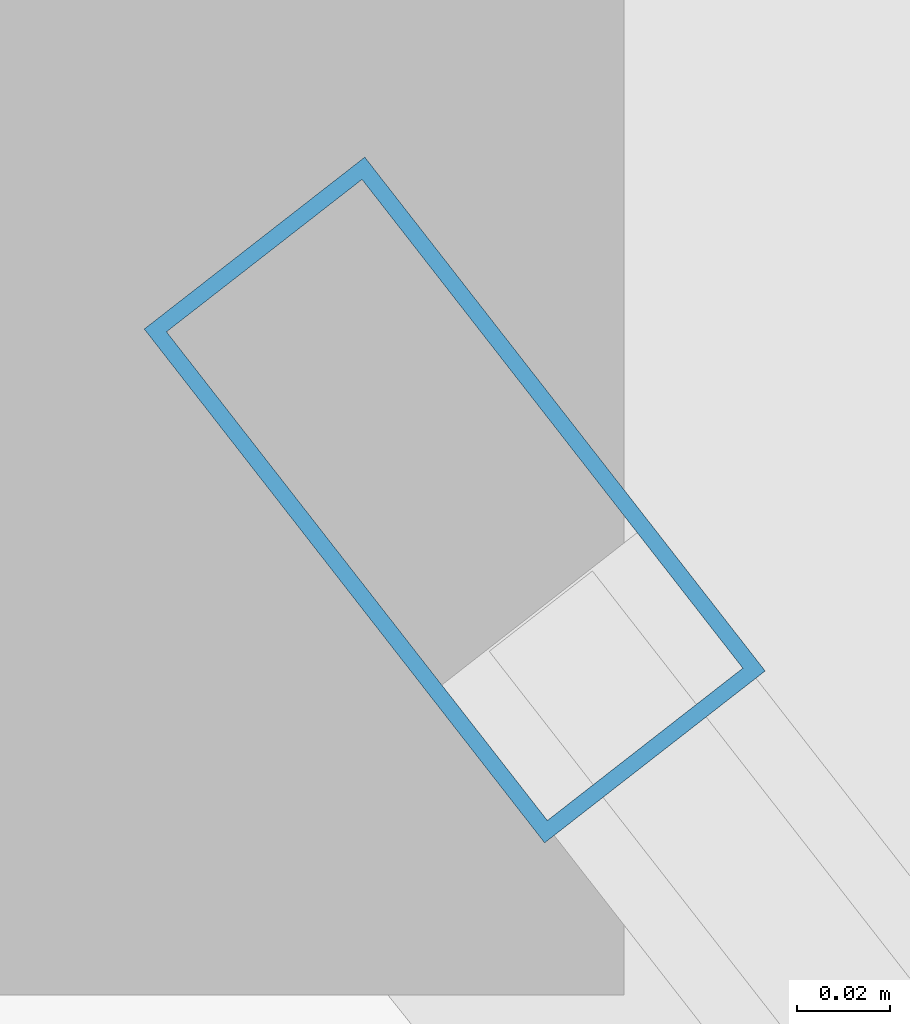
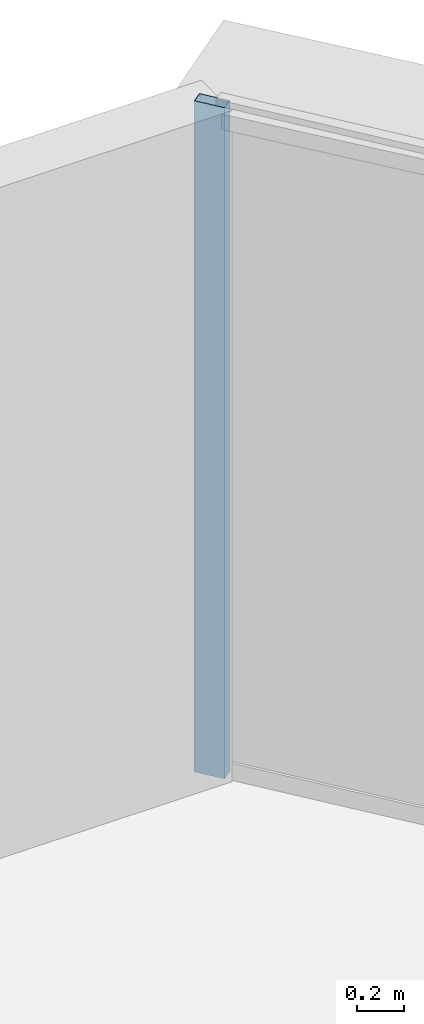
# One storey, part 27 of 39: 1 member, 1 element without a shape of its own.
"""IFC4 building model written with IfcOpenShell, lengths in metres."""

import ifcopenshell
import ifcopenshell.guid

model = None  # the IFC model being written
_history = None  # IfcOwnerHistory: only IFC2X3 demands one
_inside = {}  # id of a spatial element -> (the spatial element, [elements in it])
_under = {}  # id of a project, library or spatial element -> (it, [spatial elements below it])
_declared = {}  # id of a project -> (the project, [libraries it declares])
_typed = {}  # id of a type object -> (the type object, [elements of that type])
_made_of = {}  # id of a material, layer set ... -> (it, [elements and type objects made of it])


def new_model(schema):
    """Start an empty IFC model of exactly this schema.

    Asked for "IFC4X3", IfcOpenShell would pick the latest addendum, in which some entities
    have other attributes; the version numbers below select the first issue.
    IFC2X3 requires an IfcOwnerHistory on every rooted entity: one is made here for all.
    """
    global model, _history
    if schema == "IFC4X3":
        model = ifcopenshell.file(schema_version=(4, 3, 0, 0))
    else:
        model = ifcopenshell.file(schema=schema)
    _inside.clear()
    _under.clear()
    _declared.clear()
    _typed.clear()
    _made_of.clear()
    _history = None
    if model.schema == "IFC2X3":
        org = make("IfcOrganization", Name="unknown")
        user = make(
            "IfcPersonAndOrganization",
            ThePerson=make("IfcPerson", FamilyName="unknown"),
            TheOrganization=org,
        )
        app = make(
            "IfcApplication",
            ApplicationDeveloper=org,
            Version="unknown",
            ApplicationFullName="unknown",
            ApplicationIdentifier="unknown",
        )
        _history = make(
            "IfcOwnerHistory",
            OwningUser=user,
            OwningApplication=app,
            ChangeAction="ADDED",
            CreationDate=0,
        )
    return model


def make(cls, **values):
    """One entity of the class cls with the attributes given. An attribute that is None is left unset."""
    return model.create_entity(
        cls, **{name: value for name, value in values.items() if value is not None}
    )


def rooted(cls, **values):
    """An entity with a GlobalId (a new one), such as an element, a storey or a relation."""
    return make(cls, GlobalId=ifcopenshell.guid.new(), OwnerHistory=_history, **values)


def si_unit(unit_type, name, prefix=None):
    """IfcSIUnit, for example si_unit("LENGTHUNIT", "METRE", prefix="MILLI")."""
    return make("IfcSIUnit", UnitType=unit_type, Prefix=prefix, Name=name)


def assignment(units):
    """IfcUnitAssignment: the units of a project."""
    return None if units is None else make("IfcUnitAssignment", Units=units)


def point(xyz):
    """IfcCartesianPoint."""
    return None if xyz is None else make("IfcCartesianPoint", Coordinates=xyz)


def direction(xyz):
    """IfcDirection."""
    return None if xyz is None else make("IfcDirection", DirectionRatios=xyz)


def frame(location, z_axis=None, x_axis=None):
    """IfcAxis2Placement3D, a coordinate frame: its origin and axes. An axis left out is left unset."""
    return make(
        "IfcAxis2Placement3D",
        Location=point(location),
        Axis=direction(z_axis),
        RefDirection=direction(x_axis),
    )


def frame_2d(location, x_axis=None):
    """IfcAxis2Placement2D, a coordinate frame in the plane: its origin and x axis."""
    return make(
        "IfcAxis2Placement2D", Location=point(location), RefDirection=direction(x_axis)
    )


def origin():
    """The frame at (0, 0, 0) with its axes left unset."""
    return frame((0.0, 0.0, 0.0))


def origin_2d():
    """The frame at (0, 0) in the plane with its x axis left unset."""
    return frame_2d((0.0, 0.0))


def place(relative_to, where):
    """IfcLocalPlacement: puts the frame where relative to a parent placement (None: the world)."""
    return make(
        "IfcLocalPlacement", PlacementRelTo=relative_to, RelativePlacement=where
    )


def context(
    kind, dimensions, precision=None, world=None, true_north=None, identifier=None
):
    """IfcGeometricRepresentationContext, for example the 3D "Model" context."""
    return make(
        "IfcGeometricRepresentationContext",
        ContextIdentifier=identifier,
        ContextType=kind,
        CoordinateSpaceDimension=dimensions,
        Precision=precision,
        WorldCoordinateSystem=world,
        TrueNorth=true_north,
    )


def subcontext(parent, identifier, kind, view, scale=None):
    """IfcGeometricRepresentationSubContext, for example "Body" below "Model"."""
    return make(
        "IfcGeometricRepresentationSubContext",
        ContextIdentifier=identifier,
        ContextType=kind,
        ParentContext=parent,
        TargetScale=scale,
        TargetView=view,
    )


def project(units=None, contexts=None):
    """IfcProject with its units and contexts."""
    return rooted(
        "IfcProject",
        Name="project",
        RepresentationContexts=contexts,
        UnitsInContext=assignment(units),
    )


def spatial(cls, under=None, at=None, **own):
    """A site, building, storey or space (cls), placed at a placement, below another one or the project."""
    s = rooted(cls, ObjectPlacement=at, **own)
    if under is not None:
        _under.setdefault(under.id(), (under, []))[1].append(s)
    return s


def profile(cls, at=None, kind="AREA", **sizes):
    """A parametric profile (cls). Its sizes go by their IFC names, for example OverallWidth=200.0."""
    return make(cls, ProfileType=kind, Position=at, **sizes)


def hollow_rectangle(**sizes):
    """IfcRectangleHollowProfileDef."""
    return profile("IfcRectangleHollowProfileDef", **sizes)


def extrude(swept, where, along, depth):
    """IfcExtrudedAreaSolid: the profile swept, set in the frame where, extruded along a direction by depth."""
    return make(
        "IfcExtrudedAreaSolid",
        SweptArea=swept,
        Position=where,
        ExtrudedDirection=direction(along),
        Depth=depth,
    )


def shape(context_of_items, identifier, shape_type, items):
    """IfcShapeRepresentation: the items that make up one representation, for example the "Body"."""
    return make(
        "IfcShapeRepresentation",
        ContextOfItems=context_of_items,
        RepresentationIdentifier=identifier,
        RepresentationType=shape_type,
        Items=items,
    )


def source(mapping_origin, context_of_items, identifier, shape_type, items):
    """IfcRepresentationMap: a shape defined once, which mapped items show again and again."""
    return make(
        "IfcRepresentationMap",
        MappingOrigin=mapping_origin,
        MappedRepresentation=shape(context_of_items, identifier, shape_type, items),
    )


def transform(
    local_origin,
    x_axis=None,
    y_axis=None,
    z_axis=None,
    scale=None,
    scale2=None,
    scale3=None,
    uniform=True,
):
    """IfcCartesianTransformationOperator3D, or its non-uniform kind. x_axis, y_axis, z_axis: its Axis1, 2, 3."""
    if uniform:
        return make(
            "IfcCartesianTransformationOperator3D",
            Axis1=direction(x_axis),
            Axis2=direction(y_axis),
            LocalOrigin=point(local_origin),
            Scale=scale,
            Axis3=direction(z_axis),
        )
    return make(
        "IfcCartesianTransformationOperator3DnonUniform",
        Axis1=direction(x_axis),
        Axis2=direction(y_axis),
        LocalOrigin=point(local_origin),
        Scale=scale,
        Axis3=direction(z_axis),
        Scale2=scale2,
        Scale3=scale3,
    )


def mapped(mapping_source, mapping_target):
    """IfcMappedItem: shows the shape of a source again, moved by a transform."""
    return make(
        "IfcMappedItem", MappingSource=mapping_source, MappingTarget=mapping_target
    )


def material(Name=None, Category=None):
    """IfcMaterial."""
    return make("IfcMaterial", Name=Name, Category=Category)


def layer(
    of_material, thickness, ventilated=None, Name=None, Category=None, Priority=None
):
    """IfcMaterialLayer: one layer of a wall or slab, of a material (None: an air gap)."""
    return make(
        "IfcMaterialLayer",
        Material=of_material,
        LayerThickness=thickness,
        IsVentilated=ventilated,
        Name=Name,
        Category=Category,
        Priority=Priority,
    )


def layer_set(layers, Name=None):
    """IfcMaterialLayerSet."""
    return make("IfcMaterialLayerSet", MaterialLayers=layers, LayerSetName=Name)


def material_profile(
    of_material, cross_section, Name=None, Category=None, Priority=None
):
    """IfcMaterialProfile: a cross section and its material."""
    return make(
        "IfcMaterialProfile",
        Name=Name,
        Material=of_material,
        Profile=cross_section,
        Priority=Priority,
        Category=Category,
    )


def profile_set(profiles, Name=None, composite=None):
    """IfcMaterialProfileSet."""
    return make(
        "IfcMaterialProfileSet",
        Name=Name,
        MaterialProfiles=profiles,
        CompositeProfile=composite,
    )


def made_of(thing, what):
    """Note that an element or type object is made of a material, layer set ...; save() writes the relation."""
    if what is not None:
        _made_of.setdefault(what.id(), (what, []))[1].append(thing)
    return thing


def type_object(cls, material=None, **own):
    """A type object (cls), such as IfcWallType, which elements share."""
    return made_of(rooted(cls, **own), material)


def element(
    cls,
    number,
    at=None,
    inside=None,
    cuts=None,
    type_object=None,
    material=None,
    context=None,
    identifier="Body",
    shape_type=None,
    held_by="IfcProductDefinitionShape",
    body=None,
    shapes=None,
    **own,
):
    """One element of the class cls, such as IfcWall. Its Tag is "e" and its number.

    at: its placement. inside: the storey or other place that contains it. cuts: it is an
    opening in that element (IfcRelVoidsElement). A single representation is given by context,
    identifier, shape_type and body (its items); several are given by shapes. held_by: the class
    of the entity that holds the representations. save() writes the other relations.
    """
    e = rooted(cls, Tag="e%d" % number, ObjectPlacement=at, **own)
    if body is not None:
        shapes = [shape(context, identifier, shape_type, body)]
    if shapes is not None:
        e.Representation = make(held_by, Representations=shapes)
    if inside is not None:
        _inside.setdefault(inside.id(), (inside, []))[1].append(e)
    if cuts is not None:
        rooted(
            "IfcRelVoidsElement", RelatingBuildingElement=cuts, RelatedOpeningElement=e
        )
    if type_object is not None:
        _typed.setdefault(type_object.id(), (type_object, []))[1].append(e)
    return made_of(e, material)


def aggregate(whole, parts):
    """IfcRelAggregates: a whole, such as a stair, and the parts it consists of."""
    return rooted("IfcRelAggregates", RelatingObject=whole, RelatedObjects=parts)


def save(model, path):
    """Write the relations noted so far, then the file.

    IfcRelAggregates (storeys below a building ...), IfcRelContainedInSpatialStructure (elements
    in a storey), IfcRelDefinesByType, IfcRelAssociatesMaterial and IfcRelDeclares: one each for
    every whole, place, type object, material and project.
    """
    for whole, parts in _under.values():
        aggregate(whole, parts)
    for where, things in _inside.values():
        rooted(
            "IfcRelContainedInSpatialStructure",
            RelatedElements=things,
            RelatingStructure=where,
        )
    for kind, things in _typed.values():
        rooted("IfcRelDefinesByType", RelatedObjects=things, RelatingType=kind)
    for what, things in _made_of.values():
        rooted("IfcRelAssociatesMaterial", RelatedObjects=things, RelatingMaterial=what)
    for by, libraries in _declared.values():
        rooted("IfcRelDeclares", RelatingContext=by, RelatedDefinitions=libraries)
    model.write(path)


model = new_model("IFC4")

# Units and contexts
model_context = context("Model", 3, precision=1e-05, world=origin(), true_north=direction((0.0, 1.0)))
body_context = subcontext(model_context, "Body", "Model", "MODEL_VIEW")
ifc_project = project(units=[si_unit("LENGTHUNIT", "METRE"), si_unit("AREAUNIT", "SQUARE_METRE"), si_unit("VOLUMEUNIT", "CUBIC_METRE"), si_unit("PLANEANGLEUNIT", "RADIAN"), si_unit("MASSUNIT", "GRAM", prefix="KILO"), si_unit("THERMODYNAMICTEMPERATUREUNIT", "KELVIN"), si_unit("POWERUNIT", "WATT")], contexts=[model_context])

# Site, building, storey
site_placement = place(None, origin())
site = spatial("IfcSite", under=ifc_project, at=site_placement, CompositionType="ELEMENT")
building_placement = place(site_placement, origin())
building = spatial("IfcBuilding", under=site, at=building_placement, Name="Yunzhuo Pagoda Commons", CompositionType="ELEMENT")
storey_placement = place(building_placement, frame((0.0, 0.0, 285.02001953125)))
storey = spatial("IfcBuildingStorey", under=building, at=storey_placement, Name="L71", CompositionType="ELEMENT", Elevation=285.02001953125)

# Curtain wall, member
ifc_material = material(Name="Anodized aluminium 6063-T6", Category="aluminium")
ifc_layer = layer(ifc_material, 0.139892578125)
ifc_layer_set = layer_set([ifc_layer], Name="Anodized aluminium 6063-T6")
curtain_wall_type = type_object("IfcCurtainWallType", Name="CW-HI High-Zone Ribbon Curtain Wall", PredefinedType="NOTDEFINED", material=ifc_layer_set)
curtain_wall_placement = place(storey_placement, origin())
curtain_wall = element("IfcCurtainWall", 1, at=curtain_wall_placement, inside=storey, type_object=curtain_wall_type, Name="L71 curtain wall CW-L71-F2B5", PredefinedType="NOTDEFINED")
ifc_material_profile = material_profile(ifc_material, hollow_rectangle(XDim=0.06005859375, YDim=0.139892578125, WallThickness=0.00341796875, at=origin_2d()), Name="Anodized aluminium 6063-T6")
ifc_profile_set = profile_set([ifc_material_profile], Name="Anodized aluminium 6063-T6")
member_type = type_object("IfcMemberType", Name="CW-HI-M Mullion RHS 140x60x3.5", PredefinedType="MULLION", material=ifc_profile_set)
shared_shape = source(origin(), body_context, "Body", "SweptSolid", [
    extrude(hollow_rectangle(XDim=0.06005859375, YDim=0.139892578125, WallThickness=0.00341796875, at=origin_2d()), origin(), (0.0, 0.0, 1.0), 3.4697265625),
])
member_placement = place(storey_placement, frame((51.595703125, 76.769287109375, 0.000244140625), z_axis=(0.0, 0.0, 1.0), x_axis=(-0.78878314481, -0.614671579353, 0.0)))
member = element("IfcMember", 2, at=member_placement, type_object=member_type, Name="CW mullion 2", PredefinedType="MULLION", context=body_context, shape_type="MappedRepresentation", body=[
    mapped(shared_shape, transform((0.0, 0.0, 0.0), scale=1.0)),
])
aggregate(curtain_wall, [member])

save(model, "model.ifc")
